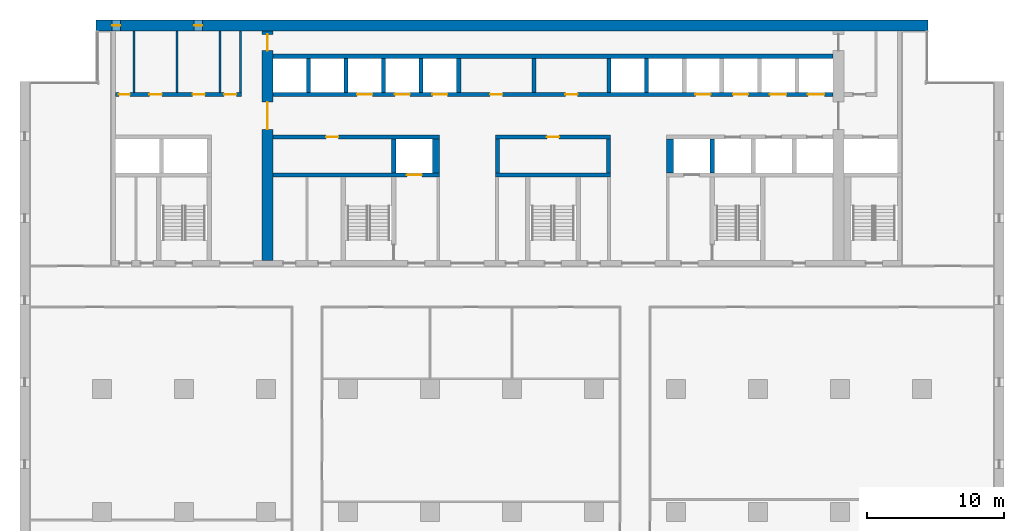
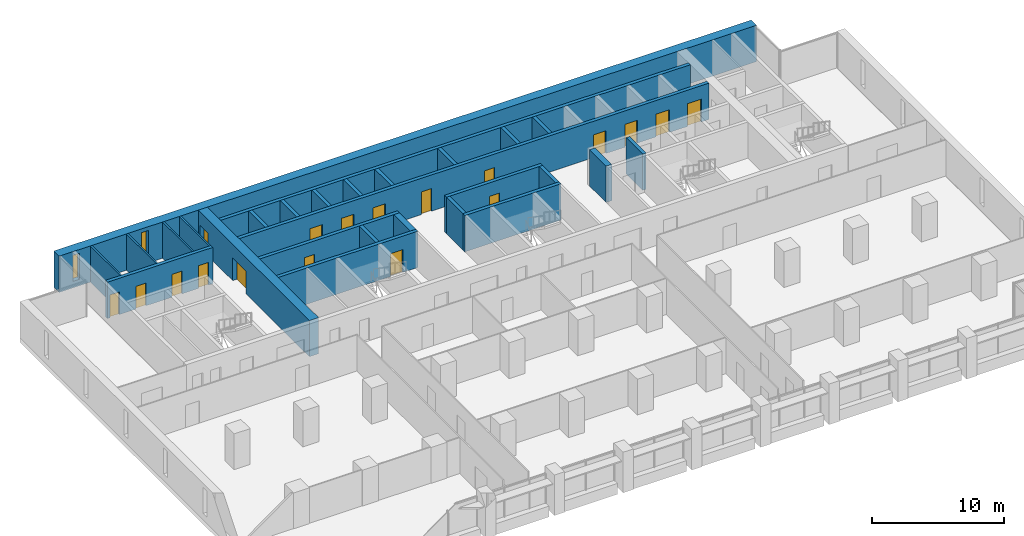
# One storey, part 10 of 15: 27 walls, 18 doors, 2 windows, 20 openings.
"""IFC4 building model written with IfcOpenShell, lengths in metres."""

from ifc_helpers import new_model, si_unit, direction, frame, frame_2d, origin, place, context, subcontext, project, spatial, rectangle, extrude, material, layer, layer_set, type_object, element, fill, save


model = new_model("IFC4")

# Units and contexts
model_context = context("Model", 3, precision=1e-05, world=origin(), true_north=direction((0.0, 1.0)))
body_context = subcontext(model_context, "Body", "Model", "MODEL_VIEW")
ifc_project = project(units=[si_unit("LENGTHUNIT", "METRE"), si_unit("AREAUNIT", "SQUARE_METRE"), si_unit("VOLUMEUNIT", "CUBIC_METRE"), si_unit("PLANEANGLEUNIT", "RADIAN"), si_unit("MASSUNIT", "GRAM", prefix="KILO")], contexts=[model_context])

# Site, building, storey
site_placement = place(None, origin())
site = spatial("IfcSite", under=ifc_project, at=site_placement, CompositionType="ELEMENT")
building_placement = place(site_placement, origin())
building = spatial("IfcBuilding", under=site, at=building_placement, Name="Calvaro Tower", CompositionType="ELEMENT")
storey_placement = place(building_placement, frame((0.0, 0.0, 110.0)))
storey = spatial("IfcBuildingStorey", under=building, at=storey_placement, Name="L27", CompositionType="ELEMENT", Elevation=110.0)

# Walls
ifc_material_1 = material(Name="Blockwork partition", Category="masonry")
ifc_layer_1 = layer(ifc_material_1, 0.14990234375)
ifc_layer_set_1 = layer_set([ifc_layer_1], Name="Blockwork partition")
wall_type_1 = type_object("IfcWallType", Name="Core partition 150 EI 60", PredefinedType="PARTITIONING", material=ifc_layer_set_1)
for number, where, z_axis, x_axis, name in (
    (1, (8.35009765625, 40.699951171875, 0.0), (0.0, 0.0, 1.0), (0.0, 1.0, 0.0), "Core partition"),
    (2, (11.5, 40.699951171875, 0.0), (0.0, 0.0, 1.0), (0.0, 1.0, 0.0), "Core partition"),
    (3, (14.64990234375, 40.699951171875, 0.0), (0.0, 0.0, 1.0), (0.0, 1.0, 0.0), "Core partition"),
):
    element("IfcWall", number, at=place(storey_placement, frame(where, z_axis=z_axis, x_axis=x_axis)), inside=storey, type_object=wall_type_1, Name=name, PredefinedType="PARTITIONING", context=body_context, shape_type="SweptSolid", body=[
        extrude(rectangle(XDim=4.5, YDim=0.14990234375, at=frame_2d((2.25, 0.0))), origin(), (0.0, 0.0, 1.0), 3.35009765625),
    ])
ifc_material_2 = material(Name="Blockwork partition", Category="masonry")
ifc_layer_2 = layer(ifc_material_2, 0.14990234375)
ifc_layer_set_2 = layer_set([ifc_layer_2], Name="Blockwork partition")
wall_type_2 = type_object("IfcWallType", Name="Core partition 150 REI 120", PredefinedType="PARTITIONING", material=ifc_layer_set_2)
wall_1_placement = place(storey_placement, frame((16.125, 40.699951171875, 0.0), z_axis=(0.0, 0.0, 1.0), x_axis=(0.0, 1.0, 0.0)))
element("IfcWall", 4, at=wall_1_placement, inside=storey, type_object=wall_type_2, Name="Core partition", PredefinedType="PARTITIONING", context=body_context, shape_type="SweptSolid", body=[
    extrude(rectangle(XDim=4.5, YDim=0.14990234375, at=frame_2d((2.25, 0.0))), origin(), (0.0, 0.0, 1.0), 3.35009765625),
])
ifc_material_3 = material(Name="Blockwork partition", Category="masonry")
ifc_layer_3 = layer(ifc_material_3, 0.300048828125)
ifc_layer_set_3 = layer_set([ifc_layer_3], Name="Blockwork partition")
wall_type_3 = type_object("IfcWallType", Name="Core partition 300 EI 60", PredefinedType="PARTITIONING", material=ifc_layer_set_3)
wall_2_placement = place(storey_placement, frame((37.60009765625, 40.699951171875, 0.0), z_axis=(0.0, 0.0, 1.0), x_axis=(0.0, 1.0, 0.0)))
element("IfcWall", 5, at=wall_2_placement, inside=storey, type_object=wall_type_3, Name="Core partition", PredefinedType="PARTITIONING", context=body_context, shape_type="SweptSolid", body=[
    extrude(rectangle(XDim=2.5, YDim=0.300048828125, at=frame_2d((1.25, 0.0))), origin(), (0.0, 0.0, 1.0), 3.35009765625),
])

# Wall, openings, doors
ifc_material_4 = material(Name="Blockwork partition", Category="masonry")
ifc_layer_4 = layer(ifc_material_4, 0.300048828125)
ifc_layer_set_4 = layer_set([ifc_layer_4], Name="Blockwork partition")
wall_type_4 = type_object("IfcWallType", Name="Core partition 300 REI 120", PredefinedType="PARTITIONING", material=ifc_layer_set_4)
wall_3_placement = place(storey_placement, frame((7.0, 40.550048828125, 0.0), z_axis=(0.0, 0.0, 1.0), x_axis=(1.0, 0.0, 0.0)))
wall_3 = element("IfcWall", 6, at=wall_3_placement, inside=storey, type_object=wall_type_4, Name="Core partition", PredefinedType="PARTITIONING", context=body_context, shape_type="SweptSolid", body=[
    extrude(rectangle(XDim=9.199951171875, YDim=0.300048828125, at=frame_2d((4.60009765625, 0.0))), origin(), (0.0, 0.0, 1.0), 3.35009765625),
])
opening_1_placement = place(wall_3_placement, frame((0.237548828125, 0.0, 0.0)))
opening_1 = element("IfcOpeningElement", 7, at=opening_1_placement, cuts=wall_3, Name="Opening RD8", PredefinedType="OPENING", context=body_context, shape_type="SweptSolid", body=[
    extrude(rectangle(XDim=0.800048828125, YDim=2.10009765625, at=frame_2d((0.39990234375, 1.050048828125))), frame((0.0, 0.159912109375, 0.0), z_axis=(0.0, -1.0, 0.0), x_axis=(1.0, 0.0, 0.0)), (0.0, 0.0, 1.0), 0.320068359375),
])
opening_2_placement = place(wall_3_placement, frame((2.47509765625, 0.0, 0.0)))
opening_2 = element("IfcOpeningElement", 8, at=opening_2_placement, cuts=wall_3, Name="Opening RD9", PredefinedType="OPENING", context=body_context, shape_type="SweptSolid", body=[
    extrude(rectangle(XDim=0.89990234375, YDim=2.10009765625, at=frame_2d((0.449951171875, 1.050048828125))), frame((0.0, 0.159912109375, 0.0), z_axis=(0.0, -1.0, 0.0), x_axis=(1.0, 0.0, 0.0)), (0.0, 0.0, 1.0), 0.320068359375),
])
opening_3_placement = place(wall_3_placement, frame((5.625, 0.0, 0.0)))
opening_3 = element("IfcOpeningElement", 9, at=opening_3_placement, cuts=wall_3, Name="Opening RD9", PredefinedType="OPENING", context=body_context, shape_type="SweptSolid", body=[
    extrude(rectangle(XDim=0.89990234375, YDim=2.10009765625, at=frame_2d((0.449951171875, 1.050048828125))), frame((0.0, 0.159912109375, 0.0), z_axis=(0.0, -1.0, 0.0), x_axis=(1.0, 0.0, 0.0)), (0.0, 0.0, 1.0), 0.320068359375),
])
opening_4_placement = place(wall_3_placement, frame((7.9375, 0.0, 0.0)))
opening_4 = element("IfcOpeningElement", 10, at=opening_4_placement, cuts=wall_3, Name="Opening RD9C", PredefinedType="OPENING", context=body_context, shape_type="SweptSolid", body=[
    extrude(rectangle(XDim=0.89990234375, YDim=2.10009765625, at=frame_2d((0.449951171875, 1.050048828125))), frame((0.0, 0.159912109375, 0.0), z_axis=(0.0, -1.0, 0.0), x_axis=(1.0, 0.0, 0.0)), (0.0, 0.0, 1.0), 0.320068359375),
])
ifc_material_5 = material(Name="Steel door set", Category="steel")
door_type_1 = type_object("IfcDoorType", Name="Room door 800", OperationType="SINGLE_SWING_LEFT", PredefinedType="DOOR", material=ifc_material_5)
door_1_placement = place(opening_1_placement, origin())
door_1 = element("IfcDoor", 11, at=door_1_placement, inside=storey, type_object=door_type_1, Name="Room door", OperationType="SINGLE_SWING_LEFT", OverallHeight=2.10009765625, OverallWidth=0.800048828125, PredefinedType="DOOR", context=body_context, shape_type="SweptSolid", body=[
    extrude(rectangle(XDim=0.800048828125, YDim=2.10009765625, at=frame_2d((0.39990234375, 1.050048828125))), frame((0.0, 0.02490234375, 0.0), z_axis=(0.0, -1.0, 0.0), x_axis=(1.0, 0.0, 0.0)), (0.0, 0.0, 1.0), 0.050048828125),
])
fill(opening_1, door_1)
ifc_material_6 = material(Name="Steel door set", Category="steel")
door_type_2 = type_object("IfcDoorType", Name="Room door 900", OperationType="SINGLE_SWING_LEFT", PredefinedType="DOOR", material=ifc_material_6)
door_2_placement = place(opening_2_placement, origin())
door_2 = element("IfcDoor", 12, at=door_2_placement, inside=storey, type_object=door_type_2, Name="Room door", OperationType="SINGLE_SWING_LEFT", OverallHeight=2.10009765625, OverallWidth=0.89990234375, PredefinedType="DOOR", context=body_context, shape_type="SweptSolid", body=[
    extrude(rectangle(XDim=0.89990234375, YDim=2.10009765625, at=frame_2d((0.449951171875, 1.050048828125))), frame((0.0, 0.02490234375, 0.0), z_axis=(0.0, -1.0, 0.0), x_axis=(1.0, 0.0, 0.0)), (0.0, 0.0, 1.0), 0.050048828125),
])
fill(opening_2, door_2)
door_3_placement = place(opening_3_placement, origin())
door_3 = element("IfcDoor", 13, at=door_3_placement, inside=storey, type_object=door_type_2, Name="Room door", OperationType="SINGLE_SWING_LEFT", OverallHeight=2.10009765625, OverallWidth=0.89990234375, PredefinedType="DOOR", context=body_context, shape_type="SweptSolid", body=[
    extrude(rectangle(XDim=0.89990234375, YDim=2.10009765625, at=frame_2d((0.449951171875, 1.050048828125))), frame((0.0, 0.02490234375, 0.0), z_axis=(0.0, -1.0, 0.0), x_axis=(1.0, 0.0, 0.0)), (0.0, 0.0, 1.0), 0.050048828125),
])
fill(opening_3, door_3)
ifc_material_7 = material(Name="Steel door set", Category="steel")
door_type_3 = type_object("IfcDoorType", Name="Room door 900 FD30", OperationType="SINGLE_SWING_LEFT", PredefinedType="DOOR", material=ifc_material_7)
door_4_placement = place(opening_4_placement, origin())
door_4 = element("IfcDoor", 14, at=door_4_placement, inside=storey, type_object=door_type_3, Name="Room door", OperationType="SINGLE_SWING_LEFT", OverallHeight=2.10009765625, OverallWidth=0.89990234375, PredefinedType="DOOR", context=body_context, shape_type="SweptSolid", body=[
    extrude(rectangle(XDim=0.89990234375, YDim=2.10009765625, at=frame_2d((0.449951171875, 1.050048828125))), frame((0.0, 0.02490234375, 0.0), z_axis=(0.0, -1.0, 0.0), x_axis=(1.0, 0.0, 0.0)), (0.0, 0.0, 1.0), 0.050048828125),
])
fill(opening_4, door_4)

# Wall, opening, door
ifc_material_8 = material(Name="Concrete C60/75", Category="concrete")
ifc_layer_5 = layer(ifc_material_8, 0.300048828125)
ifc_layer_set_5 = layer_set([ifc_layer_5], Name="Concrete C60/75")
wall_type_5 = type_object("IfcWallType", Name="Core wall C60/75 300", PredefinedType="SHEAR", material=ifc_layer_set_5)
wall_4_placement = place(storey_placement, frame((18.5, 34.64990234375, 0.0), z_axis=(0.0, 0.0, 1.0), x_axis=(1.0, 0.0, 0.0)))
wall_4 = element("IfcWall", 15, at=wall_4_placement, inside=storey, type_object=wall_type_5, Name="Core wall, lift shaft", PredefinedType="SHEAR", context=body_context, shape_type="SweptSolid", body=[
    extrude(rectangle(XDim=12.199951171875, YDim=0.300048828125, at=frame_2d((6.10009765625, 0.0))), origin(), (0.0, 0.0, 1.0), 3.35009765625),
])
opening_5_placement = place(wall_4_placement, frame((9.800048828125, 0.0, 0.0)))
opening_5 = element("IfcOpeningElement", 16, at=opening_5_placement, cuts=wall_4, Name="Opening FF1", PredefinedType="OPENING", context=body_context, shape_type="SweptSolid", body=[
    extrude(rectangle(XDim=1.10009765625, YDim=2.10009765625, at=frame_2d((0.550048828125, 1.050048828125))), frame((0.0, 0.159912109375, 0.0), z_axis=(0.0, -1.0, 0.0), x_axis=(1.0, 0.0, 0.0)), (0.0, 0.0, 1.0), 0.320068359375),
])
ifc_material_9 = material(Name="Stainless steel", Category="steel")
door_type_4 = type_object("IfcDoorType", Name="Landing door 1100 E 60", OperationType="SLIDING_TO_LEFT", PredefinedType="DOOR", material=ifc_material_9)
door_5_placement = place(opening_5_placement, origin())
door_5 = element("IfcDoor", 17, at=door_5_placement, inside=storey, type_object=door_type_4, Name="Landing door FF1", OperationType="SLIDING_TO_LEFT", OverallHeight=2.10009765625, OverallWidth=1.10009765625, PredefinedType="DOOR", context=body_context, shape_type="SweptSolid", body=[
    extrude(rectangle(XDim=1.10009765625, YDim=2.10009765625, at=frame_2d((0.550048828125, 1.050048828125))), frame((0.0, 0.02490234375, 0.0), z_axis=(0.0, -1.0, 0.0), x_axis=(1.0, 0.0, 0.0)), (0.0, 0.0, 1.0), 0.050048828125),
])
fill(opening_5, door_5)

# Wall
wall_5_placement = place(storey_placement, frame((34.800048828125, 34.64990234375, 0.0), z_axis=(0.0, 0.0, 1.0), x_axis=(1.0, 0.0, 0.0)))
element("IfcWall", 18, at=wall_5_placement, inside=storey, type_object=wall_type_5, Name="Core wall, lift shaft", PredefinedType="SHEAR", context=body_context, shape_type="SweptSolid", body=[
    extrude(rectangle(XDim=8.39990234375, YDim=0.300048828125, at=frame_2d((4.199951171875, 0.0))), origin(), (0.0, 0.0, 1.0), 3.35009765625),
])

# Wall, opening, door
wall_6_placement = place(storey_placement, frame((30.699951171875, 37.449951171875, 0.0), z_axis=(0.0, 0.0, 1.0), x_axis=(-1.0, 0.0, 0.0)))
wall_6 = element("IfcWall", 19, at=wall_6_placement, inside=storey, type_object=wall_type_5, Name="Core wall, bay", PredefinedType="SHEAR", context=body_context, shape_type="SweptSolid", body=[
    extrude(rectangle(XDim=12.199951171875, YDim=0.300048828125, at=frame_2d((6.10009765625, 0.0))), origin(), (0.0, 0.0, 1.0), 3.35009765625),
])
opening_6_placement = place(wall_6_placement, frame((7.39990234375, 0.0, 0.0)))
opening_6 = element("IfcOpeningElement", 20, at=opening_6_placement, cuts=wall_6, Name="Opening RD9E", PredefinedType="OPENING", context=body_context, shape_type="SweptSolid", body=[
    extrude(rectangle(XDim=0.89990234375, YDim=2.10009765625, at=frame_2d((0.449951171875, 1.050048828125))), frame((0.0, 0.159912109375, 0.0), z_axis=(0.0, -1.0, 0.0), x_axis=(1.0, 0.0, 0.0)), (0.0, 0.0, 1.0), 0.320068359375),
])
ifc_material_10 = material(Name="Steel door set", Category="steel")
door_type_5 = type_object("IfcDoorType", Name="Room door 900 FD60", OperationType="SINGLE_SWING_LEFT", PredefinedType="DOOR", material=ifc_material_10)
door_6_placement = place(opening_6_placement, origin())
door_6 = element("IfcDoor", 21, at=door_6_placement, inside=storey, type_object=door_type_5, Name="Room door", OperationType="SINGLE_SWING_LEFT", OverallHeight=2.10009765625, OverallWidth=0.89990234375, PredefinedType="DOOR", context=body_context, shape_type="SweptSolid", body=[
    extrude(rectangle(XDim=0.89990234375, YDim=2.10009765625, at=frame_2d((0.449951171875, 1.050048828125))), frame((0.0, 0.02490234375, 0.0), z_axis=(0.0, -1.0, 0.0), x_axis=(1.0, 0.0, 0.0)), (0.0, 0.0, 1.0), 0.050048828125),
])
fill(opening_6, door_6)

wall_7_placement = place(storey_placement, frame((43.199951171875, 37.449951171875, 0.0), z_axis=(0.0, 0.0, 1.0), x_axis=(-1.0, 0.0, 0.0)))
wall_7 = element("IfcWall", 22, at=wall_7_placement, inside=storey, type_object=wall_type_5, Name="Core wall, bay", PredefinedType="SHEAR", context=body_context, shape_type="SweptSolid", body=[
    extrude(rectangle(XDim=8.39990234375, YDim=0.300048828125, at=frame_2d((4.199951171875, 0.0))), origin(), (0.0, 0.0, 1.0), 3.35009765625),
])
opening_7_placement = place(wall_7_placement, frame((3.75, 0.0, 0.0)))
opening_7 = element("IfcOpeningElement", 23, at=opening_7_placement, cuts=wall_7, Name="Opening RD9C", PredefinedType="OPENING", context=body_context, shape_type="SweptSolid", body=[
    extrude(rectangle(XDim=0.89990234375, YDim=2.10009765625, at=frame_2d((0.449951171875, 1.050048828125))), frame((0.0, 0.159912109375, 0.0), z_axis=(0.0, -1.0, 0.0), x_axis=(1.0, 0.0, 0.0)), (0.0, 0.0, 1.0), 0.320068359375),
])
door_7_placement = place(opening_7_placement, origin())
door_7 = element("IfcDoor", 24, at=door_7_placement, inside=storey, type_object=door_type_3, Name="Room door", OperationType="SINGLE_SWING_RIGHT", OverallHeight=2.10009765625, OverallWidth=0.89990234375, PredefinedType="DOOR", context=body_context, shape_type="SweptSolid", body=[
    extrude(rectangle(XDim=0.89990234375, YDim=2.10009765625, at=frame_2d((0.449951171875, 1.050048828125))), frame((0.0, 0.02490234375, 0.0), z_axis=(0.0, -1.0, 0.0), x_axis=(1.0, 0.0, 0.0)), (0.0, 0.0, 1.0), 0.050048828125),
])
fill(opening_7, door_7)

# Walls
for number, where, z_axis, x_axis, name in (
    (25, (27.35009765625, 34.800048828125, 0.0), (0.0, 0.0, 1.0), (0.0, 1.0, 0.0), "Core wall, lift shaft"),
    (26, (34.949951171875, 34.800048828125, 0.0), (0.0, 0.0, 1.0), (0.0, 1.0, 0.0), "Core wall, lift shaft"),
    (27, (43.050048828125, 34.800048828125, 0.0), (0.0, 0.0, 1.0), (0.0, 1.0, 0.0), "Core wall, lift shaft"),
    (28, (50.64990234375, 34.800048828125, 0.0), (0.0, 0.0, 1.0), (0.0, 1.0, 0.0), "Core wall, lift shaft"),
):
    element("IfcWall", number, at=place(storey_placement, frame(where, z_axis=z_axis, x_axis=x_axis)), inside=storey, type_object=wall_type_5, Name=name, PredefinedType="SHEAR", context=body_context, shape_type="SweptSolid", body=[
        extrude(rectangle(XDim=2.5, YDim=0.300048828125, at=frame_2d((1.25, 0.0))), origin(), (0.0, 0.0, 1.0), 3.35009765625),
    ])

# Wall, openings, doors
wall_8_placement = place(storey_placement, frame((18.5, 40.550048828125, 0.0), z_axis=(0.0, 0.0, 1.0), x_axis=(1.0, 0.0, 0.0)))
wall_8 = element("IfcWall", 29, at=wall_8_placement, inside=storey, type_object=wall_type_5, Name="Core wall, bay", PredefinedType="SHEAR", context=body_context, shape_type="SweptSolid", body=[
    extrude(rectangle(XDim=41.0, YDim=0.300048828125, at=frame_2d((20.5, 0.0))), origin(), (0.0, 0.0, 1.0), 3.35009765625),
])
opening_8_placement = place(wall_8_placement, frame((15.89990234375, 0.0, 0.0)))
opening_8 = element("IfcOpeningElement", 30, at=opening_8_placement, cuts=wall_8, Name="Opening RD9E", PredefinedType="OPENING", context=body_context, shape_type="SweptSolid", body=[
    extrude(rectangle(XDim=0.89990234375, YDim=2.10009765625, at=frame_2d((0.449951171875, 1.050048828125))), frame((0.0, 0.159912109375, 0.0), z_axis=(0.0, -1.0, 0.0), x_axis=(1.0, 0.0, 0.0)), (0.0, 0.0, 1.0), 0.320068359375),
])
opening_9_placement = place(wall_8_placement, frame((21.39990234375, 0.0, 0.0)))
opening_9 = element("IfcOpeningElement", 31, at=opening_9_placement, cuts=wall_8, Name="Opening RD9C", PredefinedType="OPENING", context=body_context, shape_type="SweptSolid", body=[
    extrude(rectangle(XDim=0.89990234375, YDim=2.10009765625, at=frame_2d((0.449951171875, 1.050048828125))), frame((0.0, 0.159912109375, 0.0), z_axis=(0.0, -1.0, 0.0), x_axis=(1.0, 0.0, 0.0)), (0.0, 0.0, 1.0), 0.320068359375),
])
opening_10_placement = place(wall_8_placement, frame((6.175048828125, 0.0, 0.0)))
opening_10 = element("IfcOpeningElement", 32, at=opening_10_placement, cuts=wall_8, Name="Opening MR4", PredefinedType="OPENING", context=body_context, shape_type="SweptSolid", body=[
    extrude(rectangle(XDim=1.10009765625, YDim=2.10009765625, at=frame_2d((0.550048828125, 1.050048828125))), frame((0.0, 0.159912109375, 0.0), z_axis=(0.0, -1.0, 0.0), x_axis=(1.0, 0.0, 0.0)), (0.0, 0.0, 1.0), 0.320068359375),
])
opening_11_placement = place(wall_8_placement, frame((8.925048828125, 0.0, 0.0)))
opening_11 = element("IfcOpeningElement", 33, at=opening_11_placement, cuts=wall_8, Name="Opening MR5", PredefinedType="OPENING", context=body_context, shape_type="SweptSolid", body=[
    extrude(rectangle(XDim=1.10009765625, YDim=2.10009765625, at=frame_2d((0.550048828125, 1.050048828125))), frame((0.0, 0.159912109375, 0.0), z_axis=(0.0, -1.0, 0.0), x_axis=(1.0, 0.0, 0.0)), (0.0, 0.0, 1.0), 0.320068359375),
])
opening_12_placement = place(wall_8_placement, frame((11.675048828125, 0.0, 0.0)))
opening_12 = element("IfcOpeningElement", 34, at=opening_12_placement, cuts=wall_8, Name="Opening MR6", PredefinedType="OPENING", context=body_context, shape_type="SweptSolid", body=[
    extrude(rectangle(XDim=1.10009765625, YDim=2.10009765625, at=frame_2d((0.550048828125, 1.050048828125))), frame((0.0, 0.159912109375, 0.0), z_axis=(0.0, -1.0, 0.0), x_axis=(1.0, 0.0, 0.0)), (0.0, 0.0, 1.0), 0.320068359375),
])
opening_13_placement = place(wall_8_placement, frame((30.925048828125, 0.0, 0.0)))
opening_13 = element("IfcOpeningElement", 35, at=opening_13_placement, cuts=wall_8, Name="Opening MR7", PredefinedType="OPENING", context=body_context, shape_type="SweptSolid", body=[
    extrude(rectangle(XDim=1.10009765625, YDim=2.10009765625, at=frame_2d((0.550048828125, 1.050048828125))), frame((0.0, 0.159912109375, 0.0), z_axis=(0.0, -1.0, 0.0), x_axis=(1.0, 0.0, 0.0)), (0.0, 0.0, 1.0), 0.320068359375),
])
opening_14_placement = place(wall_8_placement, frame((33.675048828125, 0.0, 0.0)))
opening_14 = element("IfcOpeningElement", 36, at=opening_14_placement, cuts=wall_8, Name="Opening MR8", PredefinedType="OPENING", context=body_context, shape_type="SweptSolid", body=[
    extrude(rectangle(XDim=1.10009765625, YDim=2.10009765625, at=frame_2d((0.550048828125, 1.050048828125))), frame((0.0, 0.159912109375, 0.0), z_axis=(0.0, -1.0, 0.0), x_axis=(1.0, 0.0, 0.0)), (0.0, 0.0, 1.0), 0.320068359375),
])
opening_15_placement = place(wall_8_placement, frame((36.375, 0.0, 0.0)))
opening_15 = element("IfcOpeningElement", 37, at=opening_15_placement, cuts=wall_8, Name="Opening SV1", PredefinedType="OPENING", context=body_context, shape_type="SweptSolid", body=[
    extrude(rectangle(XDim=1.199951171875, YDim=2.10009765625, at=frame_2d((0.60009765625, 1.050048828125))), frame((0.0, 0.159912109375, 0.0), z_axis=(0.0, -1.0, 0.0), x_axis=(1.0, 0.0, 0.0)), (0.0, 0.0, 1.0), 0.320068359375),
])
opening_16_placement = place(wall_8_placement, frame((39.14990234375, 0.0, 0.0)))
opening_16 = element("IfcOpeningElement", 38, at=opening_16_placement, cuts=wall_8, Name="Opening SV2", PredefinedType="OPENING", context=body_context, shape_type="SweptSolid", body=[
    extrude(rectangle(XDim=1.199951171875, YDim=2.10009765625, at=frame_2d((0.60009765625, 1.050048828125))), frame((0.0, 0.159912109375, 0.0), z_axis=(0.0, -1.0, 0.0), x_axis=(1.0, 0.0, 0.0)), (0.0, 0.0, 1.0), 0.320068359375),
])
door_8_placement = place(opening_10_placement, origin())
door_8 = element("IfcDoor", 39, at=door_8_placement, inside=storey, type_object=door_type_4, Name="Landing door MR4", OperationType="SLIDING_TO_LEFT", OverallHeight=2.10009765625, OverallWidth=1.10009765625, PredefinedType="DOOR", context=body_context, shape_type="SweptSolid", body=[
    extrude(rectangle(XDim=1.10009765625, YDim=2.10009765625, at=frame_2d((0.550048828125, 1.050048828125))), frame((0.0, 0.02490234375, 0.0), z_axis=(0.0, -1.0, 0.0), x_axis=(1.0, 0.0, 0.0)), (0.0, 0.0, 1.0), 0.050048828125),
])
fill(opening_10, door_8)
door_9_placement = place(opening_11_placement, origin())
door_9 = element("IfcDoor", 40, at=door_9_placement, inside=storey, type_object=door_type_4, Name="Landing door MR5", OperationType="SLIDING_TO_LEFT", OverallHeight=2.10009765625, OverallWidth=1.10009765625, PredefinedType="DOOR", context=body_context, shape_type="SweptSolid", body=[
    extrude(rectangle(XDim=1.10009765625, YDim=2.10009765625, at=frame_2d((0.550048828125, 1.050048828125))), frame((0.0, 0.02490234375, 0.0), z_axis=(0.0, -1.0, 0.0), x_axis=(1.0, 0.0, 0.0)), (0.0, 0.0, 1.0), 0.050048828125),
])
fill(opening_11, door_9)
door_10_placement = place(opening_12_placement, origin())
door_10 = element("IfcDoor", 41, at=door_10_placement, inside=storey, type_object=door_type_4, Name="Landing door MR6", OperationType="SLIDING_TO_LEFT", OverallHeight=2.10009765625, OverallWidth=1.10009765625, PredefinedType="DOOR", context=body_context, shape_type="SweptSolid", body=[
    extrude(rectangle(XDim=1.10009765625, YDim=2.10009765625, at=frame_2d((0.550048828125, 1.050048828125))), frame((0.0, 0.02490234375, 0.0), z_axis=(0.0, -1.0, 0.0), x_axis=(1.0, 0.0, 0.0)), (0.0, 0.0, 1.0), 0.050048828125),
])
fill(opening_12, door_10)
door_11_placement = place(opening_13_placement, origin())
door_11 = element("IfcDoor", 42, at=door_11_placement, inside=storey, type_object=door_type_4, Name="Landing door MR7", OperationType="SLIDING_TO_LEFT", OverallHeight=2.10009765625, OverallWidth=1.10009765625, PredefinedType="DOOR", context=body_context, shape_type="SweptSolid", body=[
    extrude(rectangle(XDim=1.10009765625, YDim=2.10009765625, at=frame_2d((0.550048828125, 1.050048828125))), frame((0.0, 0.02490234375, 0.0), z_axis=(0.0, -1.0, 0.0), x_axis=(1.0, 0.0, 0.0)), (0.0, 0.0, 1.0), 0.050048828125),
])
fill(opening_13, door_11)
door_12_placement = place(opening_14_placement, origin())
door_12 = element("IfcDoor", 43, at=door_12_placement, inside=storey, type_object=door_type_4, Name="Landing door MR8", OperationType="SLIDING_TO_LEFT", OverallHeight=2.10009765625, OverallWidth=1.10009765625, PredefinedType="DOOR", context=body_context, shape_type="SweptSolid", body=[
    extrude(rectangle(XDim=1.10009765625, YDim=2.10009765625, at=frame_2d((0.550048828125, 1.050048828125))), frame((0.0, 0.02490234375, 0.0), z_axis=(0.0, -1.0, 0.0), x_axis=(1.0, 0.0, 0.0)), (0.0, 0.0, 1.0), 0.050048828125),
])
fill(opening_14, door_12)
ifc_material_11 = material(Name="Stainless steel", Category="steel")
door_type_6 = type_object("IfcDoorType", Name="Landing door 1200 E 60", OperationType="SLIDING_TO_LEFT", PredefinedType="DOOR", material=ifc_material_11)
door_13_placement = place(opening_15_placement, origin())
door_13 = element("IfcDoor", 44, at=door_13_placement, inside=storey, type_object=door_type_6, Name="Landing door SV1", OperationType="SLIDING_TO_LEFT", OverallHeight=2.10009765625, OverallWidth=1.199951171875, PredefinedType="DOOR", context=body_context, shape_type="SweptSolid", body=[
    extrude(rectangle(XDim=1.199951171875, YDim=2.10009765625, at=frame_2d((0.60009765625, 1.050048828125))), frame((0.0, 0.02490234375, 0.0), z_axis=(0.0, -1.0, 0.0), x_axis=(1.0, 0.0, 0.0)), (0.0, 0.0, 1.0), 0.050048828125),
])
fill(opening_15, door_13)
door_14_placement = place(opening_16_placement, origin())
door_14 = element("IfcDoor", 45, at=door_14_placement, inside=storey, type_object=door_type_6, Name="Landing door SV2", OperationType="SLIDING_TO_LEFT", OverallHeight=2.10009765625, OverallWidth=1.199951171875, PredefinedType="DOOR", context=body_context, shape_type="SweptSolid", body=[
    extrude(rectangle(XDim=1.199951171875, YDim=2.10009765625, at=frame_2d((0.60009765625, 1.050048828125))), frame((0.0, 0.02490234375, 0.0), z_axis=(0.0, -1.0, 0.0), x_axis=(1.0, 0.0, 0.0)), (0.0, 0.0, 1.0), 0.050048828125),
])
fill(opening_16, door_14)
door_15_placement = place(opening_9_placement, origin())
door_15 = element("IfcDoor", 46, at=door_15_placement, inside=storey, type_object=door_type_3, Name="Room door", OperationType="SINGLE_SWING_LEFT", OverallHeight=2.10009765625, OverallWidth=0.89990234375, PredefinedType="DOOR", context=body_context, shape_type="SweptSolid", body=[
    extrude(rectangle(XDim=0.89990234375, YDim=2.10009765625, at=frame_2d((0.449951171875, 1.050048828125))), frame((0.0, 0.02490234375, 0.0), z_axis=(0.0, -1.0, 0.0), x_axis=(1.0, 0.0, 0.0)), (0.0, 0.0, 1.0), 0.050048828125),
])
fill(opening_9, door_15)
door_16_placement = place(opening_8_placement, origin())
door_16 = element("IfcDoor", 47, at=door_16_placement, inside=storey, type_object=door_type_5, Name="Room door", OperationType="SINGLE_SWING_LEFT", OverallHeight=2.10009765625, OverallWidth=0.89990234375, PredefinedType="DOOR", context=body_context, shape_type="SweptSolid", body=[
    extrude(rectangle(XDim=0.89990234375, YDim=2.10009765625, at=frame_2d((0.449951171875, 1.050048828125))), frame((0.0, 0.02490234375, 0.0), z_axis=(0.0, -1.0, 0.0), x_axis=(1.0, 0.0, 0.0)), (0.0, 0.0, 1.0), 0.050048828125),
])
fill(opening_8, door_16)

# Walls
wall_9_placement = place(storey_placement, frame((18.5, 43.35009765625, 0.0), z_axis=(0.0, 0.0, 1.0), x_axis=(1.0, 0.0, 0.0)))
element("IfcWall", 48, at=wall_9_placement, inside=storey, type_object=wall_type_5, Name="Core wall, lift shaft", PredefinedType="SHEAR", context=body_context, shape_type="SweptSolid", body=[
    extrude(rectangle(XDim=41.0, YDim=0.300048828125, at=frame_2d((20.5, 0.0))), origin(), (0.0, 0.0, 1.0), 3.35009765625),
])
for number, where, z_axis, x_axis, name in (
    (49, (21.10009765625, 40.699951171875, 0.0), (0.0, 0.0, 1.0), (0.0, 1.0, 0.0), "Core wall, lift shaft"),
    (50, (23.85009765625, 40.699951171875, 0.0), (0.0, 0.0, 1.0), (0.0, 1.0, 0.0), "Core wall, lift shaft"),
    (51, (26.60009765625, 40.699951171875, 0.0), (0.0, 0.0, 1.0), (0.0, 1.0, 0.0), "Core wall, lift shaft"),
    (52, (29.35009765625, 40.699951171875, 0.0), (0.0, 0.0, 1.0), (0.0, 1.0, 0.0), "Core wall, lift shaft"),
    (53, (32.10009765625, 40.699951171875, 0.0), (0.0, 0.0, 1.0), (0.0, 1.0, 0.0), "Core wall, lift shaft"),
    (54, (43.10009765625, 40.699951171875, 0.0), (0.0, 0.0, 1.0), (0.0, 1.0, 0.0), "Core wall, lift shaft"),
    (55, (45.85009765625, 40.699951171875, 0.0), (0.0, 0.0, 1.0), (0.0, 1.0, 0.0), "Core wall, lift shaft"),
):
    element("IfcWall", number, at=place(storey_placement, frame(where, z_axis=z_axis, x_axis=x_axis)), inside=storey, type_object=wall_type_5, Name=name, PredefinedType="SHEAR", context=body_context, shape_type="SweptSolid", body=[
        extrude(rectangle(XDim=2.5, YDim=0.300048828125, at=frame_2d((1.25, 0.0))), origin(), (0.0, 0.0, 1.0), 3.35009765625),
    ])
ifc_material_12 = material(Name="Concrete C60/75", Category="concrete")
ifc_layer_6 = layer(ifc_material_12, 0.5)
ifc_layer_set_6 = layer_set([ifc_layer_6], Name="Concrete C60/75")
wall_type_6 = type_object("IfcWallType", Name="Core wall C60/75 500", PredefinedType="SHEAR", material=ifc_layer_set_6)
for number, where, z_axis, x_axis, name in (
    (56, (30.449951171875, 34.800048828125, 0.0), (0.0, 0.0, 1.0), (0.0, 1.0, 0.0), "Core wall, lift shaft"),
    (57, (47.550048828125, 34.800048828125, 0.0), (0.0, 0.0, 1.0), (0.0, 1.0, 0.0), "Core wall, lift shaft"),
):
    element("IfcWall", number, at=place(storey_placement, frame(where, z_axis=z_axis, x_axis=x_axis)), inside=storey, type_object=wall_type_6, Name=name, PredefinedType="SHEAR", context=body_context, shape_type="SweptSolid", body=[
        extrude(rectangle(XDim=2.5, YDim=0.5, at=frame_2d((1.25, 0.0))), origin(), (0.0, 0.0, 1.0), 3.35009765625),
    ])

# Wall, openings, doors
ifc_material_13 = material(Name="Concrete C60/75", Category="concrete")
ifc_layer_7 = layer(ifc_material_13, 0.800048828125)
ifc_layer_set_7 = layer_set([ifc_layer_7], Name="Concrete C60/75")
wall_type_7 = type_object("IfcWallType", Name="Core wall C60/75 800", PredefinedType="SHEAR", material=ifc_layer_set_7)
wall_10_placement = place(storey_placement, frame((18.10009765625, 28.39990234375, 0.0), z_axis=(0.0, 0.0, 1.0), x_axis=(0.0, 1.0, 0.0)))
wall_10 = element("IfcWall", 58, at=wall_10_placement, inside=storey, type_object=wall_type_7, Name="Core wall, cross shear wall", PredefinedType="SHEAR", context=body_context, shape_type="SweptSolid", body=[
    extrude(rectangle(XDim=16.800048828125, YDim=0.800048828125, at=frame_2d((8.39990234375, 0.0))), origin(), (0.0, 0.0, 1.0), 3.35009765625),
])
opening_17_placement = place(wall_10_placement, frame((9.60009765625, 0.0, 0.0)))
opening_17 = element("IfcOpeningElement", 59, at=opening_17_placement, cuts=wall_10, Name="Opening DD20D", PredefinedType="OPENING", context=body_context, shape_type="SweptSolid", body=[
    extrude(rectangle(XDim=2.0, YDim=2.10009765625, at=frame_2d((1.0, 1.050048828125))), frame((0.0, 0.409912109375, 0.0), z_axis=(0.0, -1.0, 0.0), x_axis=(1.0, 0.0, 0.0)), (0.0, 0.0, 1.0), 0.820068359375),
])
opening_18_placement = place(wall_10_placement, frame((15.35009765625, 0.0, 0.0)))
opening_18 = element("IfcOpeningElement", 60, at=opening_18_placement, cuts=wall_10, Name="Opening FD12C", PredefinedType="OPENING", context=body_context, shape_type="SweptSolid", body=[
    extrude(rectangle(XDim=1.199951171875, YDim=2.10009765625, at=frame_2d((0.60009765625, 1.050048828125))), frame((0.0, 0.409912109375, 0.0), z_axis=(0.0, -1.0, 0.0), x_axis=(1.0, 0.0, 0.0)), (0.0, 0.0, 1.0), 0.820068359375),
])
ifc_material_14 = material(Name="Steel door set", Category="steel")
door_type_7 = type_object("IfcDoorType", Name="Fire door 1200 FD30", OperationType="SINGLE_SWING_LEFT", PredefinedType="DOOR", material=ifc_material_14)
door_17_placement = place(opening_18_placement, origin())
door_17 = element("IfcDoor", 61, at=door_17_placement, inside=storey, type_object=door_type_7, Name="Fire door", OperationType="SINGLE_SWING_LEFT", OverallHeight=2.10009765625, OverallWidth=1.199951171875, PredefinedType="DOOR", context=body_context, shape_type="SweptSolid", body=[
    extrude(rectangle(XDim=1.199951171875, YDim=2.10009765625, at=frame_2d((0.60009765625, 1.050048828125))), frame((0.0, 0.02490234375, 0.0), z_axis=(0.0, -1.0, 0.0), x_axis=(1.0, 0.0, 0.0)), (0.0, 0.0, 1.0), 0.050048828125),
])
fill(opening_18, door_17)
ifc_material_15 = material(Name="Steel door set", Category="steel")
door_type_8 = type_object("IfcDoorType", Name="Lobby double door 2000 FD30S", OperationType="DOUBLE_DOOR_SINGLE_SWING", PredefinedType="DOOR", material=ifc_material_15)
door_18_placement = place(opening_17_placement, origin())
door_18 = element("IfcDoor", 62, at=door_18_placement, inside=storey, type_object=door_type_8, Name="Lobby double door", OperationType="DOUBLE_DOOR_SINGLE_SWING", OverallHeight=2.10009765625, OverallWidth=2.0, PredefinedType="DOOR", context=body_context, shape_type="SweptSolid", body=[
    extrude(rectangle(XDim=2.0, YDim=2.10009765625, at=frame_2d((1.0, 1.050048828125))), frame((0.0, 0.02490234375, 0.0), z_axis=(0.0, -1.0, 0.0), x_axis=(1.0, 0.0, 0.0)), (0.0, 0.0, 1.0), 0.050048828125),
])
fill(opening_17, door_18)

# Wall, openings, windows
ifc_material_16 = material(Name="Concrete C60/75", Category="concrete")
ifc_layer_8 = layer(ifc_material_16, 0.800048828125)
ifc_layer_set_8 = layer_set([ifc_layer_8], Name="Concrete C60/75")
wall_type_8 = type_object("IfcWallType", Name="Rear core wall 800 C60/75", PredefinedType="SHEAR", material=ifc_layer_set_8)
wall_11_placement = place(storey_placement, frame((5.550048828125, 45.60009765625, 0.0), z_axis=(0.0, 0.0, 1.0), x_axis=(1.0, 0.0, 0.0)))
wall_11 = element("IfcWall", 63, at=wall_11_placement, inside=storey, type_object=wall_type_8, Name="North core wall", PredefinedType="SHEAR", context=body_context, shape_type="SweptSolid", body=[
    extrude(rectangle(XDim=60.89990234375, YDim=0.800048828125, at=frame_2d((30.449951171875, 0.0))), origin(), (0.0, 0.0, 1.0), 3.35009765625),
])
opening_19_placement = place(wall_11_placement, frame((1.199951171875, 0.0, 0.60009765625)))
opening_19 = element("IfcOpeningElement", 64, at=opening_19_placement, cuts=wall_11, Name="Opening WN01", PredefinedType="OPENING", context=body_context, shape_type="SweptSolid", body=[
    extrude(rectangle(XDim=0.60009765625, YDim=2.39990234375, at=frame_2d((0.300048828125, 1.199951171875))), frame((0.0, 0.409912109375, 0.0), z_axis=(0.0, -1.0, 0.0), x_axis=(1.0, 0.0, 0.0)), (0.0, 0.0, 1.0), 0.820068359375),
])
opening_20_placement = place(wall_11_placement, frame((7.199951171875, 0.0, 0.60009765625)))
opening_20 = element("IfcOpeningElement", 65, at=opening_20_placement, cuts=wall_11, Name="Opening WN02", PredefinedType="OPENING", context=body_context, shape_type="SweptSolid", body=[
    extrude(rectangle(XDim=0.60009765625, YDim=2.39990234375, at=frame_2d((0.300048828125, 1.199951171875))), frame((0.0, 0.409912109375, 0.0), z_axis=(0.0, -1.0, 0.0), x_axis=(1.0, 0.0, 0.0)), (0.0, 0.0, 1.0), 0.820068359375),
])
ifc_material_17 = material(Name="Glass", Category="glass")
window_type = type_object("IfcWindowType", Name="Slit window 600 x 2400", PartitioningType="SINGLE_PANEL", PredefinedType="WINDOW", material=ifc_material_17)
window_1_placement = place(opening_19_placement, origin())
window_1 = element("IfcWindow", 66, at=window_1_placement, inside=storey, type_object=window_type, Name="Window WN01", OverallHeight=2.39990234375, OverallWidth=0.60009765625, PartitioningType="SINGLE_PANEL", PredefinedType="WINDOW", context=body_context, shape_type="SweptSolid", body=[
    extrude(rectangle(XDim=0.60009765625, YDim=2.39990234375, at=frame_2d((0.300048828125, 1.199951171875))), frame((0.0, 0.030029296875, 0.0), z_axis=(0.0, -1.0, 0.0), x_axis=(1.0, 0.0, 0.0)), (0.0, 0.0, 1.0), 0.06005859375),
])
fill(opening_19, window_1)
window_2_placement = place(opening_20_placement, origin())
window_2 = element("IfcWindow", 67, at=window_2_placement, inside=storey, type_object=window_type, Name="Window WN02", OverallHeight=2.39990234375, OverallWidth=0.60009765625, PartitioningType="SINGLE_PANEL", PredefinedType="WINDOW", context=body_context, shape_type="SweptSolid", body=[
    extrude(rectangle(XDim=0.60009765625, YDim=2.39990234375, at=frame_2d((0.300048828125, 1.199951171875))), frame((0.0, 0.030029296875, 0.0), z_axis=(0.0, -1.0, 0.0), x_axis=(1.0, 0.0, 0.0)), (0.0, 0.0, 1.0), 0.06005859375),
])
fill(opening_20, window_2)

save(model, "model.ifc")
